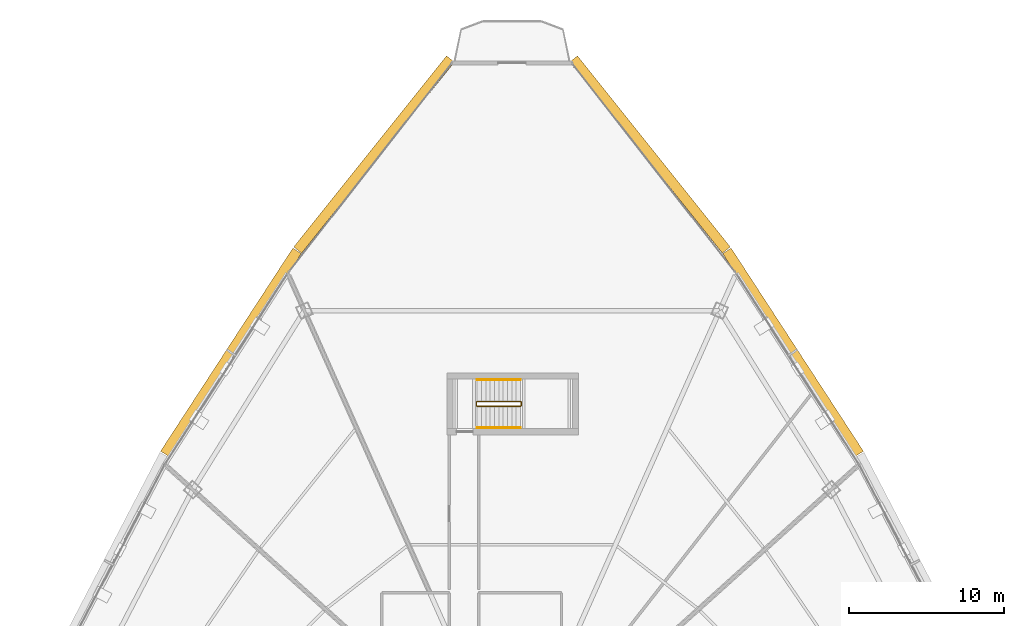
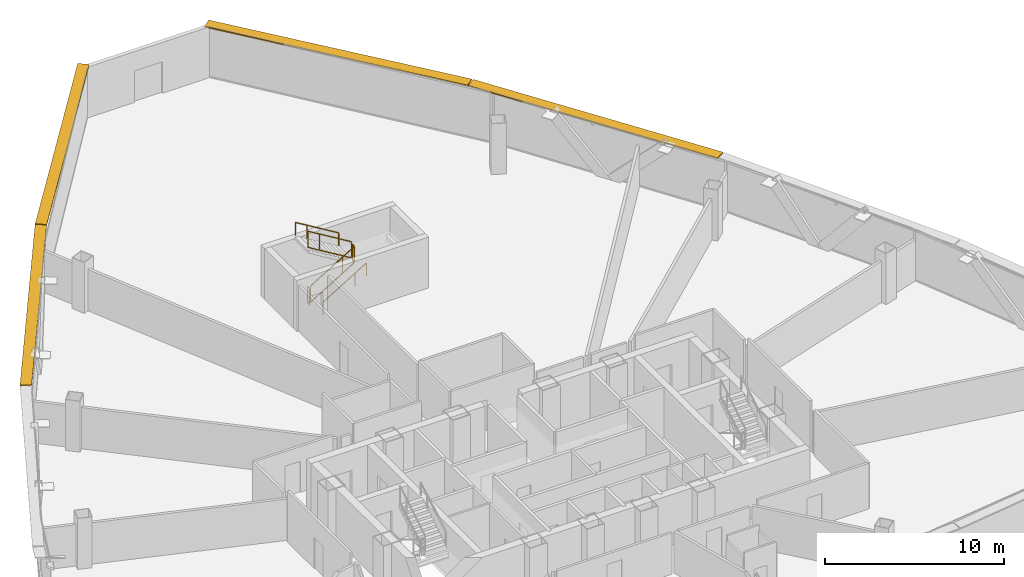
# One storey, part 35 of 36: 6 railings, 4 shading devices.
"""IFC4 building model written with IfcOpenShell, lengths in metres."""

from ifc_helpers import new_model, si_unit, direction, frame, origin, origin_2d, place, context, subcontext, project, spatial, rectangle, extrude, source, transform, mapped, material, layer, layer_set, type_object, element, save


model = new_model("IFC4")

# Units and contexts
model_context = context("Model", 3, precision=1e-05, world=origin(), true_north=direction((0.0, 1.0)))
body_context = subcontext(model_context, "Body", "Model", "MODEL_VIEW")
ifc_project = project(units=[si_unit("LENGTHUNIT", "METRE"), si_unit("AREAUNIT", "SQUARE_METRE"), si_unit("VOLUMEUNIT", "CUBIC_METRE"), si_unit("PLANEANGLEUNIT", "RADIAN"), si_unit("MASSUNIT", "GRAM", prefix="KILO"), si_unit("THERMODYNAMICTEMPERATUREUNIT", "KELVIN"), si_unit("POWERUNIT", "WATT")], contexts=[model_context])

# Site, building, storey
site_placement = place(None, origin())
site = spatial("IfcSite", under=ifc_project, at=site_placement, CompositionType="ELEMENT")
building_placement = place(site_placement, origin())
building = spatial("IfcBuilding", under=site, at=building_placement, Name="Yunzhuo Pagoda Commons", CompositionType="ELEMENT")
storey_placement = place(building_placement, frame((0.0, 0.0, 248.260009765625)))
storey = spatial("IfcBuildingStorey", under=building, at=storey_placement, Name="L62", CompositionType="ELEMENT", Elevation=248.260009765625)

# Railings
ifc_material = material(Name="Anodized aluminium 6063-T6", Category="aluminium")
railing_type_1 = type_object("IfcRailingType", Name="GR-ST3 North Well Guardrail 1155", PredefinedType="GUARDRAIL", material=ifc_material)
railing_1_placement = place(storey_placement, frame((45.75, 57.64990234375, 0.16943359375)))
element("IfcRailing", 1, at=railing_1_placement, inside=storey, type_object=railing_type_1, Name="L62 ST3 stair guard 1", PredefinedType="GUARDRAIL", context=body_context, shape_type="SweptSolid", body=[
    extrude(rectangle(XDim=0.048095703125, YDim=0.048095703125, at=origin_2d()), frame((0.0, 0.0, 1.1259765625), z_axis=(0.855393119324, 0.0, 0.517979354234), x_axis=(0.0, 1.0, 0.0)), (0.0, 0.0, 1.0), 3.2734375),
    extrude(rectangle(XDim=0.048095703125, YDim=0.048095703125, at=origin_2d()), frame((0.0, 0.0, 0.02392578125), z_axis=(0.855393119324, 0.0, 0.517979354234), x_axis=(0.0, 1.0, 0.0)), (0.0, 0.0, 1.0), 3.2734375),
    extrude(rectangle(XDim=0.0419921875, YDim=0.0419921875, at=origin_2d()), origin(), (0.0, 0.0, 1.0), 1.101806640625),
    extrude(rectangle(XDim=0.0419921875, YDim=0.0419921875, at=origin_2d()), frame((2.052978515625, 0.0, 1.2431640625)), (0.0, 0.0, 1.0), 1.101806640625),
    extrude(rectangle(XDim=0.0419921875, YDim=0.0419921875, at=origin_2d()), frame((2.800048828125, 0.0, 1.695556640625)), (0.0, 0.0, 1.0), 1.101806640625),
])
railing_2_placement = place(storey_placement, frame((48.60009765625, 57.699951171875, 1.864990234375)))
element("IfcRailing", 2, at=railing_2_placement, inside=storey, type_object=railing_type_1, Name="L62 ST3 stair guard 2", PredefinedType="GUARDRAIL", context=body_context, shape_type="SweptSolid", body=[
    extrude(rectangle(XDim=0.048095703125, YDim=0.048095703125, at=origin_2d()), frame((0.0, 0.0, 1.1259765625), z_axis=(0.0, 1.0, 0.0), x_axis=(-1.0, 0.0, 0.0)), (0.0, 0.0, 1.0), 0.199951171875),
    extrude(rectangle(XDim=0.048095703125, YDim=0.048095703125, at=origin_2d()), frame((0.0, 0.0, 0.02392578125), z_axis=(0.0, 1.0, 0.0), x_axis=(-1.0, 0.0, 0.0)), (0.0, 0.0, 1.0), 0.199951171875),
    extrude(rectangle(XDim=0.0419921875, YDim=0.0419921875, at=origin_2d()), origin(), (0.0, 0.0, 1.0), 1.101806640625),
    extrude(rectangle(XDim=0.0419921875, YDim=0.0419921875, at=origin_2d()), frame((0.0, 0.199951171875, 0.0)), (0.0, 0.0, 1.0), 1.101806640625),
])
railing_3_placement = place(storey_placement, frame((48.550048828125, 57.949951171875, 2.034423828125)))
element("IfcRailing", 3, at=railing_3_placement, inside=storey, type_object=railing_type_1, Name="L62 ST3 stair guard 3", PredefinedType="GUARDRAIL", context=body_context, shape_type="SweptSolid", body=[
    extrude(rectangle(XDim=0.048095703125, YDim=0.048095703125, at=origin_2d()), frame((0.0, 0.0, 1.1259765625), z_axis=(-0.855393119324, 0.0, 0.517979354234), x_axis=(0.0, -1.0, 0.0)), (0.0, 0.0, 1.0), 3.2734375),
    extrude(rectangle(XDim=0.048095703125, YDim=0.048095703125, at=origin_2d()), frame((0.0, 0.0, 0.02392578125), z_axis=(-0.855393119324, 0.0, 0.517979354234), x_axis=(0.0, -1.0, 0.0)), (0.0, 0.0, 1.0), 3.2734375),
    extrude(rectangle(XDim=0.0419921875, YDim=0.0419921875, at=origin_2d()), origin(), (0.0, 0.0, 1.0), 1.101806640625),
    extrude(rectangle(XDim=0.0419921875, YDim=0.0419921875, at=origin_2d()), frame((-2.052978515625, 0.0, 1.2431640625)), (0.0, 0.0, 1.0), 1.101806640625),
    extrude(rectangle(XDim=0.0419921875, YDim=0.0419921875, at=origin_2d()), frame((-2.800048828125, 0.0, 1.695556640625)), (0.0, 0.0, 1.0), 1.101806640625),
])
railing_4_placement = place(storey_placement, frame((45.699951171875, 57.699951171875, 0.0)))
element("IfcRailing", 4, at=railing_4_placement, inside=storey, type_object=railing_type_1, Name="L62 ST3 stair guard 4", PredefinedType="GUARDRAIL", context=body_context, shape_type="SweptSolid", body=[
    extrude(rectangle(XDim=0.048095703125, YDim=0.048095703125, at=origin_2d()), frame((0.0, 0.0, 1.1259765625), z_axis=(0.0, 1.0, 0.0), x_axis=(-1.0, 0.0, 0.0)), (0.0, 0.0, 1.0), 0.199951171875),
    extrude(rectangle(XDim=0.048095703125, YDim=0.048095703125, at=origin_2d()), frame((0.0, 0.0, 0.02392578125), z_axis=(0.0, 1.0, 0.0), x_axis=(-1.0, 0.0, 0.0)), (0.0, 0.0, 1.0), 0.199951171875),
    extrude(rectangle(XDim=0.0419921875, YDim=0.0419921875, at=origin_2d()), origin(), (0.0, 0.0, 1.0), 1.101806640625),
    extrude(rectangle(XDim=0.0419921875, YDim=0.0419921875, at=origin_2d()), frame((0.0, 0.199951171875, 0.0)), (0.0, 0.0, 1.0), 1.101806640625),
])
railing_type_2 = type_object("IfcRailingType", Name="HR-ST3 North Stair Handrail 900", PredefinedType="HANDRAIL", material=ifc_material)
railing_5_placement = place(storey_placement, frame((45.75, 56.25, 0.16943359375)))
element("IfcRailing", 5, at=railing_5_placement, inside=storey, type_object=railing_type_2, Name="L62 ST3 stair handrail 1", PredefinedType="HANDRAIL", context=body_context, shape_type="SweptSolid", body=[
    extrude(rectangle(XDim=0.048095703125, YDim=0.048095703125, at=origin_2d()), frame((0.0, 0.0, 0.8759765625), z_axis=(0.855393119324, 0.0, 0.517979354234), x_axis=(0.0, 1.0, 0.0)), (0.0, 0.0, 1.0), 3.2734375),
    extrude(rectangle(XDim=0.0419921875, YDim=0.0419921875, at=origin_2d()), origin(), (0.0, 0.0, 1.0), 0.851806640625),
    extrude(rectangle(XDim=0.0419921875, YDim=0.0419921875, at=origin_2d()), frame((2.052978515625, 0.0, 1.2431640625)), (0.0, 0.0, 1.0), 0.851806640625),
    extrude(rectangle(XDim=0.0419921875, YDim=0.0419921875, at=origin_2d()), frame((2.800048828125, 0.0, 1.695556640625)), (0.0, 0.0, 1.0), 0.851806640625),
])
railing_6_placement = place(storey_placement, frame((48.550048828125, 59.35009765625, 2.034423828125)))
element("IfcRailing", 6, at=railing_6_placement, inside=storey, type_object=railing_type_2, Name="L62 ST3 stair handrail 2", PredefinedType="HANDRAIL", context=body_context, shape_type="SweptSolid", body=[
    extrude(rectangle(XDim=0.048095703125, YDim=0.048095703125, at=origin_2d()), frame((0.0, 0.0, 0.8759765625), z_axis=(-0.855393119324, 0.0, 0.517979354234), x_axis=(0.0, -1.0, 0.0)), (0.0, 0.0, 1.0), 3.2734375),
    extrude(rectangle(XDim=0.0419921875, YDim=0.0419921875, at=origin_2d()), origin(), (0.0, 0.0, 1.0), 0.851806640625),
    extrude(rectangle(XDim=0.0419921875, YDim=0.0419921875, at=origin_2d()), frame((-2.052978515625, 0.0, 1.2431640625)), (0.0, 0.0, 1.0), 0.851806640625),
    extrude(rectangle(XDim=0.0419921875, YDim=0.0419921875, at=origin_2d()), frame((-2.800048828125, 0.0, 1.695556640625)), (0.0, 0.0, 1.0), 0.851806640625),
])

# Shading devices
ifc_layer = layer(ifc_material, 0.080078125)
ifc_layer_set = layer_set([ifc_layer], Name="Anodized aluminium 6063-T6")
shading_device_type = type_object("IfcShadingDeviceType", Name="SH-SUN1 Pagoda Horizontal Sunshade Eave 650", PredefinedType="USERDEFINED", material=ifc_layer_set)
shared_shape_1 = source(origin(), body_context, "Body", "SweptSolid", [
    extrude(rectangle(XDim=15.79638671875, YDim=0.64990234375, at=origin_2d()), origin(), (0.0, 0.0, 1.0), 0.080078125),
])
for number, where, z_axis, x_axis, name in (
    (7, (56.906005859375, 73.8955078125, 3.389892578125), (0.0, 0.0, 1.0), (-0.624520471688, 0.781008438138, 0.0), "L62 horizontal pagoda sunshade eave F2.4"),
    (8, (39.093994140625, 73.8955078125, 3.389892578125), (0.0, 0.0, 1.0), (-0.624520471688, -0.781008438138, 0.0), "L62 horizontal pagoda sunshade eave F3.1"),
):
    element("IfcShadingDevice", number, at=place(storey_placement, frame(where, z_axis=z_axis, x_axis=x_axis)), inside=storey, type_object=shading_device_type, Name=name, ObjectType="SUNSHADE", PredefinedType="USERDEFINED", context=body_context, shape_type="MappedRepresentation", body=[
        mapped(shared_shape_1, transform((0.0, 0.0, 0.0), scale=1.0)),
    ])
shared_shape_2 = source(origin(), body_context, "Body", "SweptSolid", [
    extrude(rectangle(XDim=15.646484375, YDim=0.64990234375, at=origin_2d()), origin(), (0.0, 0.0, 1.0), 0.080078125),
])
for number, where, z_axis, x_axis, name in (
    (9, (66.14599609375, 61.12060546875, 3.389892578125), (0.0, 0.0, 1.0), (-0.545838756973, 0.837890238269, 0.0), "L62 horizontal pagoda sunshade eave F2.3"),
    (10, (29.85400390625, 61.12060546875, 3.389892578125), (0.0, 0.0, 1.0), (-0.545838756973, -0.837890238269, 0.0), "L62 horizontal pagoda sunshade eave F3.2"),
):
    element("IfcShadingDevice", number, at=place(storey_placement, frame(where, z_axis=z_axis, x_axis=x_axis)), inside=storey, type_object=shading_device_type, Name=name, ObjectType="SUNSHADE", PredefinedType="USERDEFINED", context=body_context, shape_type="MappedRepresentation", body=[
        mapped(shared_shape_2, transform((0.0, 0.0, 0.0), scale=1.0)),
    ])

save(model, "model.ifc")
